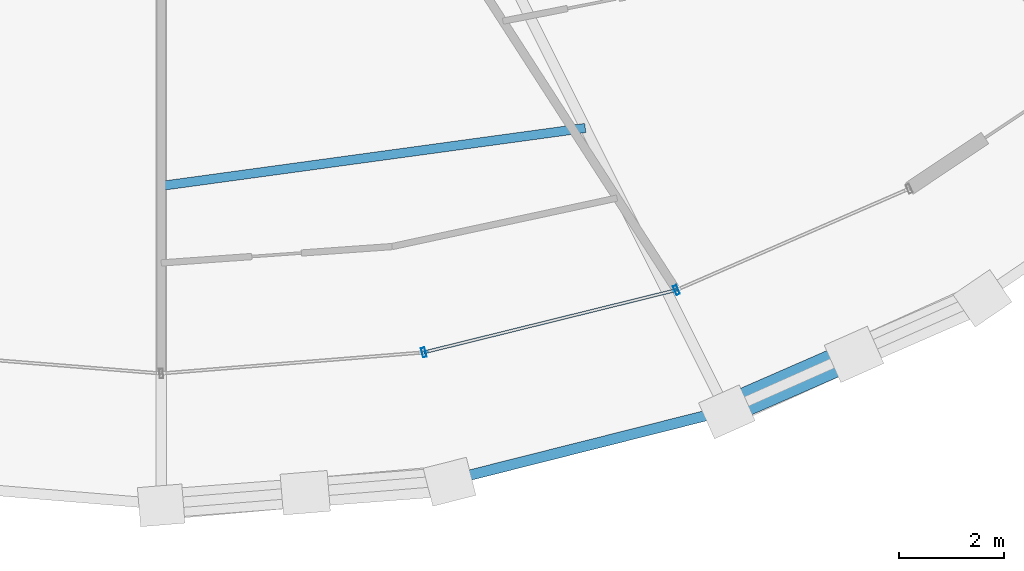
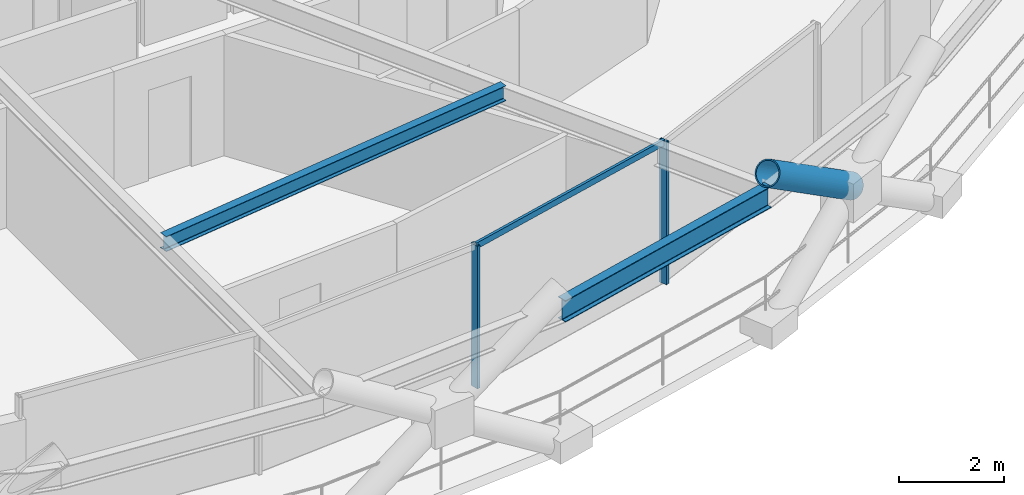
# One storey, part 4 of 19: 4 members, 2 beams, 1 element without a shape of its own.
"""IFC4 building model written with IfcOpenShell, lengths in metres."""

import ifcopenshell
import ifcopenshell.guid

model = None  # the IFC model being written
_history = None  # IfcOwnerHistory: only IFC2X3 demands one
_inside = {}  # id of a spatial element -> (the spatial element, [elements in it])
_under = {}  # id of a project, library or spatial element -> (it, [spatial elements below it])
_declared = {}  # id of a project -> (the project, [libraries it declares])
_typed = {}  # id of a type object -> (the type object, [elements of that type])
_made_of = {}  # id of a material, layer set ... -> (it, [elements and type objects made of it])


def new_model(schema):
    """Start an empty IFC model of exactly this schema.

    Asked for "IFC4X3", IfcOpenShell would pick the latest addendum, in which some entities
    have other attributes; the version numbers below select the first issue.
    IFC2X3 requires an IfcOwnerHistory on every rooted entity: one is made here for all.
    """
    global model, _history
    if schema == "IFC4X3":
        model = ifcopenshell.file(schema_version=(4, 3, 0, 0))
    else:
        model = ifcopenshell.file(schema=schema)
    _inside.clear()
    _under.clear()
    _declared.clear()
    _typed.clear()
    _made_of.clear()
    _history = None
    if model.schema == "IFC2X3":
        org = make("IfcOrganization", Name="unknown")
        user = make(
            "IfcPersonAndOrganization",
            ThePerson=make("IfcPerson", FamilyName="unknown"),
            TheOrganization=org,
        )
        app = make(
            "IfcApplication",
            ApplicationDeveloper=org,
            Version="unknown",
            ApplicationFullName="unknown",
            ApplicationIdentifier="unknown",
        )
        _history = make(
            "IfcOwnerHistory",
            OwningUser=user,
            OwningApplication=app,
            ChangeAction="ADDED",
            CreationDate=0,
        )
    return model


def make(cls, **values):
    """One entity of the class cls with the attributes given. An attribute that is None is left unset."""
    return model.create_entity(
        cls, **{name: value for name, value in values.items() if value is not None}
    )


def rooted(cls, **values):
    """An entity with a GlobalId (a new one), such as an element, a storey or a relation."""
    return make(cls, GlobalId=ifcopenshell.guid.new(), OwnerHistory=_history, **values)


def si_unit(unit_type, name, prefix=None):
    """IfcSIUnit, for example si_unit("LENGTHUNIT", "METRE", prefix="MILLI")."""
    return make("IfcSIUnit", UnitType=unit_type, Prefix=prefix, Name=name)


def assignment(units):
    """IfcUnitAssignment: the units of a project."""
    return None if units is None else make("IfcUnitAssignment", Units=units)


def point(xyz):
    """IfcCartesianPoint."""
    return None if xyz is None else make("IfcCartesianPoint", Coordinates=xyz)


def direction(xyz):
    """IfcDirection."""
    return None if xyz is None else make("IfcDirection", DirectionRatios=xyz)


def frame(location, z_axis=None, x_axis=None):
    """IfcAxis2Placement3D, a coordinate frame: its origin and axes. An axis left out is left unset."""
    return make(
        "IfcAxis2Placement3D",
        Location=point(location),
        Axis=direction(z_axis),
        RefDirection=direction(x_axis),
    )


def frame_2d(location, x_axis=None):
    """IfcAxis2Placement2D, a coordinate frame in the plane: its origin and x axis."""
    return make(
        "IfcAxis2Placement2D", Location=point(location), RefDirection=direction(x_axis)
    )


def origin():
    """The frame at (0, 0, 0) with its axes left unset."""
    return frame((0.0, 0.0, 0.0))


def origin_2d():
    """The frame at (0, 0) in the plane with its x axis left unset."""
    return frame_2d((0.0, 0.0))


def place(relative_to, where):
    """IfcLocalPlacement: puts the frame where relative to a parent placement (None: the world)."""
    return make(
        "IfcLocalPlacement", PlacementRelTo=relative_to, RelativePlacement=where
    )


def context(
    kind, dimensions, precision=None, world=None, true_north=None, identifier=None
):
    """IfcGeometricRepresentationContext, for example the 3D "Model" context."""
    return make(
        "IfcGeometricRepresentationContext",
        ContextIdentifier=identifier,
        ContextType=kind,
        CoordinateSpaceDimension=dimensions,
        Precision=precision,
        WorldCoordinateSystem=world,
        TrueNorth=true_north,
    )


def subcontext(parent, identifier, kind, view, scale=None):
    """IfcGeometricRepresentationSubContext, for example "Body" below "Model"."""
    return make(
        "IfcGeometricRepresentationSubContext",
        ContextIdentifier=identifier,
        ContextType=kind,
        ParentContext=parent,
        TargetScale=scale,
        TargetView=view,
    )


def project(units=None, contexts=None):
    """IfcProject with its units and contexts."""
    return rooted(
        "IfcProject",
        Name="project",
        RepresentationContexts=contexts,
        UnitsInContext=assignment(units),
    )


def spatial(cls, under=None, at=None, **own):
    """A site, building, storey or space (cls), placed at a placement, below another one or the project."""
    s = rooted(cls, ObjectPlacement=at, **own)
    if under is not None:
        _under.setdefault(under.id(), (under, []))[1].append(s)
    return s


def profile(cls, at=None, kind="AREA", **sizes):
    """A parametric profile (cls). Its sizes go by their IFC names, for example OverallWidth=200.0."""
    return make(cls, ProfileType=kind, Position=at, **sizes)


def hollow_rectangle(**sizes):
    """IfcRectangleHollowProfileDef."""
    return profile("IfcRectangleHollowProfileDef", **sizes)


def hollow_circle(**sizes):
    """IfcCircleHollowProfileDef."""
    return profile("IfcCircleHollowProfileDef", **sizes)


def i_section(**sizes):
    """IfcIShapeProfileDef."""
    return profile("IfcIShapeProfileDef", **sizes)


def extrude(swept, where, along, depth):
    """IfcExtrudedAreaSolid: the profile swept, set in the frame where, extruded along a direction by depth."""
    return make(
        "IfcExtrudedAreaSolid",
        SweptArea=swept,
        Position=where,
        ExtrudedDirection=direction(along),
        Depth=depth,
    )


def shape(context_of_items, identifier, shape_type, items):
    """IfcShapeRepresentation: the items that make up one representation, for example the "Body"."""
    return make(
        "IfcShapeRepresentation",
        ContextOfItems=context_of_items,
        RepresentationIdentifier=identifier,
        RepresentationType=shape_type,
        Items=items,
    )


def material(Name=None, Category=None):
    """IfcMaterial."""
    return make("IfcMaterial", Name=Name, Category=Category)


def layer(
    of_material, thickness, ventilated=None, Name=None, Category=None, Priority=None
):
    """IfcMaterialLayer: one layer of a wall or slab, of a material (None: an air gap)."""
    return make(
        "IfcMaterialLayer",
        Material=of_material,
        LayerThickness=thickness,
        IsVentilated=ventilated,
        Name=Name,
        Category=Category,
        Priority=Priority,
    )


def layer_set(layers, Name=None):
    """IfcMaterialLayerSet."""
    return make("IfcMaterialLayerSet", MaterialLayers=layers, LayerSetName=Name)


def material_profile(
    of_material, cross_section, Name=None, Category=None, Priority=None
):
    """IfcMaterialProfile: a cross section and its material."""
    return make(
        "IfcMaterialProfile",
        Name=Name,
        Material=of_material,
        Profile=cross_section,
        Priority=Priority,
        Category=Category,
    )


def profile_set(profiles, Name=None, composite=None):
    """IfcMaterialProfileSet."""
    return make(
        "IfcMaterialProfileSet",
        Name=Name,
        MaterialProfiles=profiles,
        CompositeProfile=composite,
    )


def made_of(thing, what):
    """Note that an element or type object is made of a material, layer set ...; save() writes the relation."""
    if what is not None:
        _made_of.setdefault(what.id(), (what, []))[1].append(thing)
    return thing


def type_object(cls, material=None, **own):
    """A type object (cls), such as IfcWallType, which elements share."""
    return made_of(rooted(cls, **own), material)


def element(
    cls,
    number,
    at=None,
    inside=None,
    cuts=None,
    type_object=None,
    material=None,
    context=None,
    identifier="Body",
    shape_type=None,
    held_by="IfcProductDefinitionShape",
    body=None,
    shapes=None,
    **own,
):
    """One element of the class cls, such as IfcWall. Its Tag is "e" and its number.

    at: its placement. inside: the storey or other place that contains it. cuts: it is an
    opening in that element (IfcRelVoidsElement). A single representation is given by context,
    identifier, shape_type and body (its items); several are given by shapes. held_by: the class
    of the entity that holds the representations. save() writes the other relations.
    """
    e = rooted(cls, Tag="e%d" % number, ObjectPlacement=at, **own)
    if body is not None:
        shapes = [shape(context, identifier, shape_type, body)]
    if shapes is not None:
        e.Representation = make(held_by, Representations=shapes)
    if inside is not None:
        _inside.setdefault(inside.id(), (inside, []))[1].append(e)
    if cuts is not None:
        rooted(
            "IfcRelVoidsElement", RelatingBuildingElement=cuts, RelatedOpeningElement=e
        )
    if type_object is not None:
        _typed.setdefault(type_object.id(), (type_object, []))[1].append(e)
    return made_of(e, material)


def aggregate(whole, parts):
    """IfcRelAggregates: a whole, such as a stair, and the parts it consists of."""
    return rooted("IfcRelAggregates", RelatingObject=whole, RelatedObjects=parts)


def save(model, path):
    """Write the relations noted so far, then the file.

    IfcRelAggregates (storeys below a building ...), IfcRelContainedInSpatialStructure (elements
    in a storey), IfcRelDefinesByType, IfcRelAssociatesMaterial and IfcRelDeclares: one each for
    every whole, place, type object, material and project.
    """
    for whole, parts in _under.values():
        aggregate(whole, parts)
    for where, things in _inside.values():
        rooted(
            "IfcRelContainedInSpatialStructure",
            RelatedElements=things,
            RelatingStructure=where,
        )
    for kind, things in _typed.values():
        rooted("IfcRelDefinesByType", RelatedObjects=things, RelatingType=kind)
    for what, things in _made_of.values():
        rooted("IfcRelAssociatesMaterial", RelatedObjects=things, RelatingMaterial=what)
    for by, libraries in _declared.values():
        rooted("IfcRelDeclares", RelatingContext=by, RelatedDefinitions=libraries)
    model.write(path)


model = new_model("IFC4")

# Units and contexts
model_context = context("Model", 3, precision=1e-05, world=origin(), true_north=direction((0.0, 1.0)))
body_context = subcontext(model_context, "Body", "Model", "MODEL_VIEW")
ifc_project = project(units=[si_unit("LENGTHUNIT", "METRE"), si_unit("AREAUNIT", "SQUARE_METRE"), si_unit("VOLUMEUNIT", "CUBIC_METRE"), si_unit("PLANEANGLEUNIT", "RADIAN"), si_unit("MASSUNIT", "GRAM", prefix="KILO")], contexts=[model_context])

# Site, building, storey
site_placement = place(None, origin())
site = spatial("IfcSite", under=ifc_project, at=site_placement, CompositionType="ELEMENT")
building_placement = place(site_placement, origin())
building = spatial("IfcBuilding", under=site, at=building_placement, Name="Veldorina Hangang Commons", CompositionType="ELEMENT")
storey_placement = place(building_placement, frame((0.0, 0.0, 156.800048828125)))
storey = spatial("IfcBuildingStorey", under=building, at=storey_placement, Name="L40", CompositionType="ELEMENT", Elevation=156.800048828125)

# Beams
ifc_material_1 = material(Name="Steel SM355-TMC", Category="steel")
ifc_material_profile_1 = material_profile(ifc_material_1, i_section(OverallWidth=0.175048828125, OverallDepth=0.35009765625, WebThickness=0.007080078125, FlangeThickness=0.010986328125, FilletRadius=0.012939453125, at=origin_2d()), Name="H-350x175x7x11")
ifc_profile_set_1 = profile_set([ifc_material_profile_1], Name="Steel SM355-TMC")
beam_type_1 = type_object("IfcBeamType", Name="BM-JST350", PredefinedType="JOIST", material=ifc_profile_set_1)
beam_1_placement = place(storey_placement, frame((32.0, 6.63818359375, 3.175048828125), z_axis=(0.990803800047, 0.135306429308, 0.0), x_axis=(-0.135306429308, 0.990803800047, 0.0)))
element("IfcBeam", 1, at=beam_1_placement, inside=storey, type_object=beam_type_1, Name="L40 secondary floor joist 13", PredefinedType="JOIST", context=body_context, shape_type="SweptSolid", body=[
    extrude(i_section(OverallWidth=0.175048828125, OverallDepth=0.35009765625, WebThickness=0.007080078125, FlangeThickness=0.010986328125, FilletRadius=0.012939453125, at=origin_2d()), origin(), (0.0, 0.0, 1.0), 8.175537109375),
])
ifc_material_2 = material(Name="Steel SM420-TMC", Category="steel")
ifc_material_profile_2 = material_profile(ifc_material_2, i_section(OverallWidth=0.199951171875, OverallDepth=0.5, WebThickness=0.010009765625, FlangeThickness=0.01611328125, FilletRadius=0.01611328125, at=origin_2d()), Name="H-500x200x10x16")
ifc_profile_set_2 = profile_set([ifc_material_profile_2], Name="Steel SM420-TMC")
beam_type_2 = type_object("IfcBeamType", Name="BM-RB500", PredefinedType="BEAM", material=ifc_profile_set_2)
beam_2_placement = place(storey_placement, frame((37.500732421875, 1.013671875, 3.099853515625), z_axis=(0.969645504814, 0.244515019978, 0.0), x_axis=(-0.244515019978, 0.969645504814, 0.0)))
element("IfcBeam", 2, at=beam_2_placement, inside=storey, type_object=beam_type_2, Name="L40 perimeter hoop ring beam 25", PredefinedType="BEAM", context=body_context, shape_type="SweptSolid", body=[
    extrude(i_section(OverallWidth=0.199951171875, OverallDepth=0.5, WebThickness=0.010009765625, FlangeThickness=0.01611328125, FilletRadius=0.01611328125, at=origin_2d()), origin(), (0.0, 0.0, 1.0), 5.45458984375),
])

# Curtain wall, members
ifc_material_3 = material(Name="Glass Low-E Triple IGU", Category="glass")
ifc_layer = layer(ifc_material_3, 0.179931640625)
ifc_layer_set = layer_set([ifc_layer], Name="Glass Low-E Triple IGU")
curtain_wall_type = type_object("IfcCurtainWallType", Name="CW-SYS-Z2", PredefinedType="NOTDEFINED", material=ifc_layer_set)
curtain_wall_placement = place(storey_placement, origin())
curtain_wall = element("IfcCurtainWall", 3, at=curtain_wall_placement, inside=storey, type_object=curtain_wall_type, Name="L40 unitised curtain wall CW-L40-R1", PredefinedType="NOTDEFINED")
ifc_material_4 = material(Name="Aluminium Anodized AA6063-T6", Category="aluminium")
ifc_material_profile_3 = material_profile(ifc_material_4, hollow_rectangle(XDim=0.070068359375, YDim=0.179931640625, WallThickness=0.00390625, at=origin_2d()), Name="ALU-RHS-180x70x4")
ifc_profile_set_3 = profile_set([ifc_material_profile_3], Name="Aluminium Anodized AA6063-T6")
member_type_1 = type_object("IfcMemberType", Name="CW-MUL-180", PredefinedType="MULLION", material=ifc_profile_set_3)
member_1_placement = place(storey_placement, frame((37.0166015625, 3.4580078125, 0.0), z_axis=(0.0, 0.0, 1.0), x_axis=(0.970804464551, 0.239872240177, 0.0)))
member_1 = element("IfcMember", 4, at=member_1_placement, type_object=member_type_1, Name="CW-L40-R1 vertical mullion 3", PredefinedType="MULLION", context=body_context, shape_type="SweptSolid", body=[
    extrude(hollow_rectangle(XDim=0.070068359375, YDim=0.179931640625, WallThickness=0.00390625, at=origin_2d()), origin(), (0.0, 0.0, 1.0), 3.31005859375),
])
member_2_placement = place(storey_placement, frame((41.8408203125, 4.64990234375, 0.0), z_axis=(0.0, 0.0, 1.0), x_axis=(0.916872066496, 0.399181179014, 0.0)))
member_2 = element("IfcMember", 5, at=member_2_placement, type_object=member_type_1, Name="CW-L40-R1 vertical mullion 4", PredefinedType="MULLION", context=body_context, shape_type="SweptSolid", body=[
    extrude(hollow_rectangle(XDim=0.070068359375, YDim=0.179931640625, WallThickness=0.00390625, at=origin_2d()), origin(), (0.0, 0.0, 1.0), 3.31005859375),
])
ifc_material_profile_4 = material_profile(ifc_material_4, hollow_rectangle(XDim=0.06005859375, YDim=0.139892578125, WallThickness=0.00341796875, at=origin_2d()), Name="ALU-RHS-140x60x3.5")
ifc_profile_set_4 = profile_set([ifc_material_profile_4], Name="Aluminium Anodized AA6063-T6")
member_type_2 = type_object("IfcMemberType", Name="CW-TRN-140", PredefinedType="USERDEFINED", material=ifc_profile_set_4)
member_3_placement = place(storey_placement, frame((37.0166015625, 3.4580078125, 3.27001953125), z_axis=(0.970809273432, 0.239852776968, 0.0), x_axis=(-0.239852776968, 0.970809273432, 0.0)))
member_3 = element("IfcMember", 6, at=member_3_placement, type_object=member_type_2, Name="CW-L40-R1 facet 3 transom 1", ObjectType="TRANSOM", PredefinedType="USERDEFINED", context=body_context, shape_type="SweptSolid", body=[
    extrude(hollow_rectangle(XDim=0.06005859375, YDim=0.139892578125, WallThickness=0.00341796875, at=origin_2d()), origin(), (0.0, 0.0, 1.0), 4.96923828125),
])
aggregate(curtain_wall, [member_1, member_2, member_3])

# Member
ifc_material_profile_5 = material_profile(ifc_material_2, hollow_circle(Radius=0.27490234375, WallThickness=0.028076171875, at=origin_2d()), Name="CHS-550x28")
ifc_profile_set_5 = profile_set([ifc_material_profile_5], Name="Steel SM420-TMC")
member_type_3 = type_object("IfcMemberType", Name="DG-CHS550", PredefinedType="BRACE", material=ifc_profile_set_5)
member_4_placement = place(storey_placement, frame((45.23486328125, 3.420166015625, 1.80126953125), z_axis=(-0.760143053807, -0.331884902395, 0.558600885526), x_axis=(0.400132943106, -0.916457106384, 0.0)))
element("IfcMember", 7, at=member_4_placement, inside=storey, type_object=member_type_3, Name="L40 split perimeter diagrid upper brace 27", PredefinedType="BRACE", context=body_context, shape_type="SweptSolid", body=[
    extrude(hollow_circle(Radius=0.27490234375, WallThickness=0.028076171875, at=origin_2d()), origin(), (0.0, 0.0, 1.0), 3.2197265625),
])

save(model, "model.ifc")
